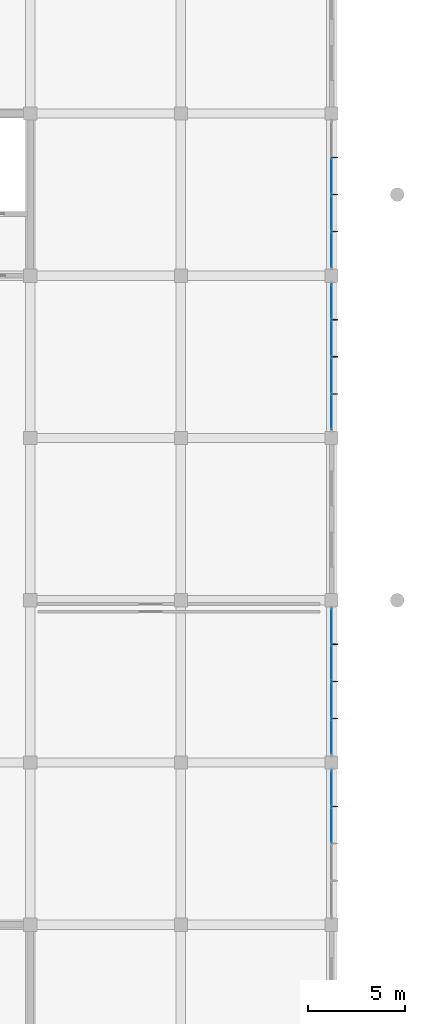
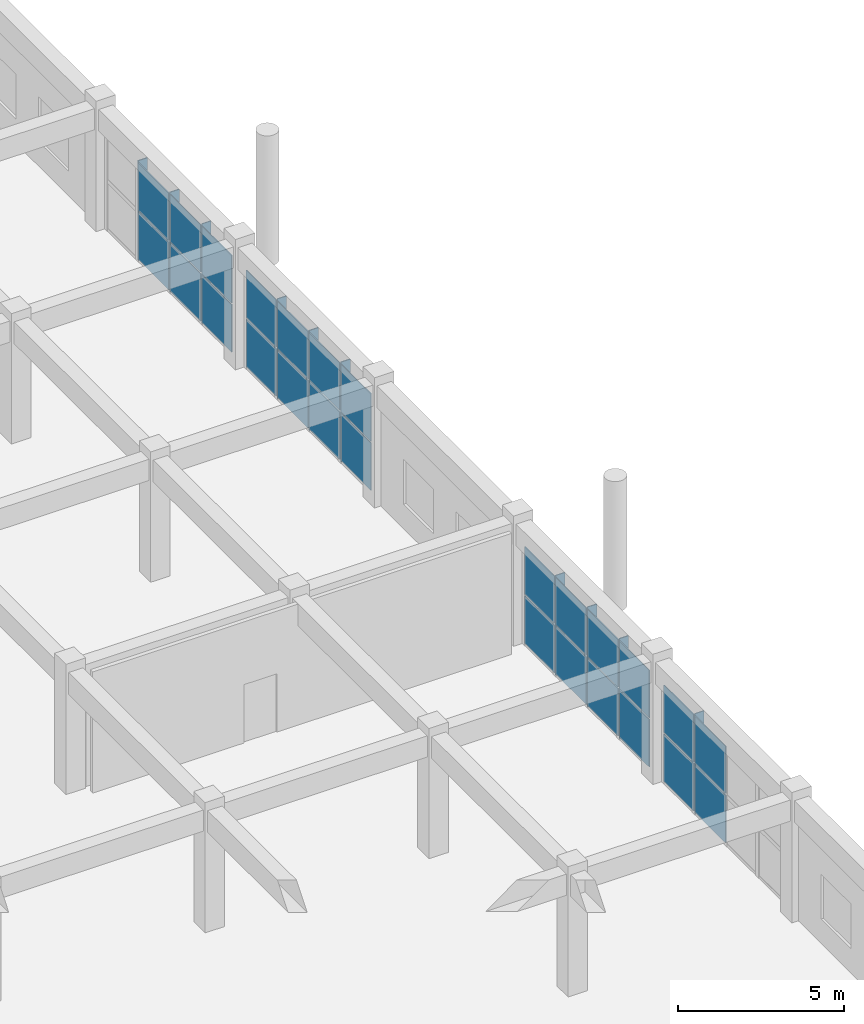
# One storey, part 153 of 175: 36 plates, 4 elements without a shape of their own.
"""IFC4 building model written with IfcOpenShell, lengths in metres."""

from ifc_helpers import new_model, si_unit, direction, frame, origin, origin_2d, place, context, subcontext, project, spatial, polyline, rectangle, outline, extrude, material, layer, layer_set, type_object, element, aggregate, save


model = new_model("IFC4")

# Units and contexts
model_context = context("Model", 3, precision=1e-05, world=origin(), true_north=direction((0.0, 1.0)))
body_context = subcontext(model_context, "Body", "Model", "MODEL_VIEW")
ifc_project = project(units=[si_unit("LENGTHUNIT", "METRE"), si_unit("AREAUNIT", "SQUARE_METRE"), si_unit("VOLUMEUNIT", "CUBIC_METRE"), si_unit("PLANEANGLEUNIT", "RADIAN"), si_unit("MASSUNIT", "GRAM", prefix="KILO")], contexts=[model_context])

# Site, building, storey
site_placement = place(None, origin())
site = spatial("IfcSite", under=ifc_project, at=site_placement, CompositionType="ELEMENT")
building_placement = place(site_placement, origin())
building = spatial("IfcBuilding", under=site, at=building_placement, Name="Zizhar Promenade General Hospital", CompositionType="ELEMENT")
storey_placement = place(building_placement, frame((0.0, 0.0, 4.800048828125)))
storey = spatial("IfcBuildingStorey", under=building, at=storey_placement, Name="L01", CompositionType="ELEMENT", Elevation=4.800048828125)

# Curtain wall, plates
ifc_material_1 = material(Name="Anodised aluminium 6063-T6 and low-E glass", Category="aluminium")
ifc_layer_1 = layer(ifc_material_1, 0.159912109375)
ifc_layer_set_1 = layer_set([ifc_layer_1], Name="Anodised aluminium 6063-T6 and low-E glass")
curtain_wall_type = type_object("IfcCurtainWallType", Name="CW-CLN-EXT", PredefinedType="NOTDEFINED", material=ifc_layer_set_1)
curtain_wall_1_placement = place(storey_placement, origin())
curtain_wall_1 = element("IfcCurtainWall", 1, at=curtain_wall_1_placement, inside=storey, type_object=curtain_wall_type, Name="Outpatient East Curtain Wall L01-7", PredefinedType="NOTDEFINED")
ifc_material_2 = material(Name="Low-E solar-control glass", Category="glass")
ifc_layer_2 = layer(ifc_material_2, 0.031982421875)
ifc_layer_set_2 = layer_set([ifc_layer_2], Name="Low-E solar-control glass")
plate_type_1 = type_object("IfcPlateType", Name="CWP-GLZ-32", PredefinedType="CURTAIN_PANEL", material=ifc_layer_set_2)
plate_1_placement = place(storey_placement, frame((195.0, 65.860107421875, 0.06005859375), z_axis=(0.0, 0.0, 1.0), x_axis=(0.0, -1.0, 0.0)))
plate_1 = element("IfcPlate", 2, at=plate_1_placement, type_object=plate_type_1, Name="CW-09 panel 1.1", PredefinedType="CURTAIN_PANEL", context=body_context, shape_type="SweptSolid", body=[
    extrude(rectangle(XDim=1.800048828125, YDim=0.031982421875, at=origin_2d()), origin(), (0.0, 0.0, 1.0), 1.75),
])
plate_2_placement = place(storey_placement, frame((195.0, 65.860107421875, 1.869873046875), z_axis=(0.0, 0.0, 1.0), x_axis=(0.0, -1.0, 0.0)))
plate_2 = element("IfcPlate", 3, at=plate_2_placement, type_object=plate_type_1, Name="CW-09 panel 1.2", PredefinedType="CURTAIN_PANEL", context=body_context, shape_type="SweptSolid", body=[
    extrude(rectangle(XDim=1.800048828125, YDim=0.031982421875, at=origin_2d()), origin(), (0.0, 0.0, 1.0), 1.75),
])
plate_3_placement = place(storey_placement, frame((195.0, 63.9599609375, 0.06005859375), z_axis=(0.0, 0.0, 1.0), x_axis=(0.0, -1.0, 0.0)))
plate_3 = element("IfcPlate", 4, at=plate_3_placement, type_object=plate_type_1, Name="CW-09 panel 2.1", PredefinedType="CURTAIN_PANEL", context=body_context, shape_type="SweptSolid", body=[
    extrude(rectangle(XDim=1.840087890625, YDim=0.031982421875, at=origin_2d()), origin(), (0.0, 0.0, 1.0), 1.75),
])
plate_4_placement = place(storey_placement, frame((195.0, 63.9599609375, 1.869873046875), z_axis=(0.0, 0.0, 1.0), x_axis=(0.0, -1.0, 0.0)))
plate_4 = element("IfcPlate", 5, at=plate_4_placement, type_object=plate_type_1, Name="CW-09 panel 2.2", PredefinedType="CURTAIN_PANEL", context=body_context, shape_type="SweptSolid", body=[
    extrude(rectangle(XDim=1.840087890625, YDim=0.031982421875, at=origin_2d()), origin(), (0.0, 0.0, 1.0), 1.75),
])
aggregate(curtain_wall_1, [plate_1, plate_2, plate_3, plate_4])

curtain_wall_2_placement = place(storey_placement, origin())
curtain_wall_2 = element("IfcCurtainWall", 6, at=curtain_wall_2_placement, inside=storey, type_object=curtain_wall_type, Name="Outpatient East Curtain Wall L01-8", PredefinedType="NOTDEFINED")
plate_5_placement = place(storey_placement, frame((195.0, 74.260009765625, 0.06005859375), z_axis=(0.0, 0.0, 1.0), x_axis=(0.0, -1.0, 0.0)))
plate_5 = element("IfcPlate", 7, at=plate_5_placement, type_object=plate_type_1, Name="CW-09 panel 1.1", PredefinedType="CURTAIN_PANEL", context=body_context, shape_type="SweptSolid", body=[
    extrude(rectangle(XDim=1.800048828125, YDim=0.031982421875, at=origin_2d()), origin(), (0.0, 0.0, 1.0), 1.75),
])
plate_6_placement = place(storey_placement, frame((195.0, 74.260009765625, 1.869873046875), z_axis=(0.0, 0.0, 1.0), x_axis=(0.0, -1.0, 0.0)))
plate_6 = element("IfcPlate", 8, at=plate_6_placement, type_object=plate_type_1, Name="CW-09 panel 1.2", PredefinedType="CURTAIN_PANEL", context=body_context, shape_type="SweptSolid", body=[
    extrude(rectangle(XDim=1.800048828125, YDim=0.031982421875, at=origin_2d()), origin(), (0.0, 0.0, 1.0), 1.75),
])
plate_7_placement = place(storey_placement, frame((195.0, 72.360107421875, 0.06005859375), z_axis=(0.0, 0.0, 1.0), x_axis=(0.0, -1.0, 0.0)))
plate_7 = element("IfcPlate", 9, at=plate_7_placement, type_object=plate_type_1, Name="CW-09 panel 2.1", PredefinedType="CURTAIN_PANEL", context=body_context, shape_type="SweptSolid", body=[
    extrude(rectangle(XDim=1.840087890625, YDim=0.031982421875, at=origin_2d()), origin(), (0.0, 0.0, 1.0), 1.75),
])
plate_8_placement = place(storey_placement, frame((195.0, 72.360107421875, 1.869873046875), z_axis=(0.0, 0.0, 1.0), x_axis=(0.0, -1.0, 0.0)))
plate_8 = element("IfcPlate", 10, at=plate_8_placement, type_object=plate_type_1, Name="CW-09 panel 2.2", PredefinedType="CURTAIN_PANEL", context=body_context, shape_type="SweptSolid", body=[
    extrude(rectangle(XDim=1.840087890625, YDim=0.031982421875, at=origin_2d()), origin(), (0.0, 0.0, 1.0), 1.75),
])
plate_9_placement = place(storey_placement, frame((195.0, 70.43994140625, 0.06005859375), z_axis=(0.0, 0.0, 1.0), x_axis=(0.0, -1.0, 0.0)))
plate_9 = element("IfcPlate", 11, at=plate_9_placement, type_object=plate_type_1, Name="CW-09 panel 3.1", PredefinedType="CURTAIN_PANEL", context=body_context, shape_type="SweptSolid", body=[
    extrude(rectangle(XDim=1.840087890625, YDim=0.031982421875, at=origin_2d()), origin(), (0.0, 0.0, 1.0), 1.75),
])
plate_10_placement = place(storey_placement, frame((195.0, 70.43994140625, 1.869873046875), z_axis=(0.0, 0.0, 1.0), x_axis=(0.0, -1.0, 0.0)))
plate_10 = element("IfcPlate", 12, at=plate_10_placement, type_object=plate_type_1, Name="CW-09 panel 3.2", PredefinedType="CURTAIN_PANEL", context=body_context, shape_type="SweptSolid", body=[
    extrude(rectangle(XDim=1.840087890625, YDim=0.031982421875, at=origin_2d()), origin(), (0.0, 0.0, 1.0), 1.75),
])
plate_11_placement = place(storey_placement, frame((195.0, 68.5400390625, 0.06005859375), z_axis=(0.0, 0.0, 1.0), x_axis=(0.0, -1.0, 0.0)))
plate_11 = element("IfcPlate", 13, at=plate_11_placement, type_object=plate_type_1, Name="CW-09 panel 4.1", PredefinedType="CURTAIN_PANEL", context=body_context, shape_type="SweptSolid", body=[
    extrude(rectangle(XDim=1.800048828125, YDim=0.031982421875, at=origin_2d()), origin(), (0.0, 0.0, 1.0), 1.75),
])
plate_12_placement = place(storey_placement, frame((195.0, 68.5400390625, 1.869873046875), z_axis=(0.0, 0.0, 1.0), x_axis=(0.0, -1.0, 0.0)))
plate_12 = element("IfcPlate", 14, at=plate_12_placement, type_object=plate_type_1, Name="CW-09 panel 4.2", PredefinedType="CURTAIN_PANEL", context=body_context, shape_type="SweptSolid", body=[
    extrude(rectangle(XDim=1.800048828125, YDim=0.031982421875, at=origin_2d()), origin(), (0.0, 0.0, 1.0), 1.75),
])
aggregate(curtain_wall_2, [plate_5, plate_6, plate_7, plate_8, plate_9, plate_10, plate_11, plate_12])

curtain_wall_3_placement = place(storey_placement, origin())
curtain_wall_3 = element("IfcCurtainWall", 15, at=curtain_wall_3_placement, inside=storey, type_object=curtain_wall_type, Name="Outpatient East Curtain Wall L01-10", PredefinedType="NOTDEFINED")
plate_13_placement = place(storey_placement, frame((195.0, 91.06005859375, 0.06005859375), z_axis=(0.0, 0.0, 1.0), x_axis=(0.0, -1.0, 0.0)))
plate_13 = element("IfcPlate", 16, at=plate_13_placement, type_object=plate_type_1, Name="CW-09 panel 1.1", PredefinedType="CURTAIN_PANEL", context=body_context, shape_type="SweptSolid", body=[
    extrude(rectangle(XDim=1.800048828125, YDim=0.031982421875, at=origin_2d()), origin(), (0.0, 0.0, 1.0), 1.75),
])
plate_14_placement = place(storey_placement, frame((195.0, 91.06005859375, 1.869873046875), z_axis=(0.0, 0.0, 1.0), x_axis=(0.0, -1.0, 0.0)))
plate_14 = element("IfcPlate", 17, at=plate_14_placement, type_object=plate_type_1, Name="CW-09 panel 1.2", PredefinedType="CURTAIN_PANEL", context=body_context, shape_type="SweptSolid", body=[
    extrude(rectangle(XDim=1.800048828125, YDim=0.031982421875, at=origin_2d()), origin(), (0.0, 0.0, 1.0), 1.75),
])
plate_15_placement = place(storey_placement, frame((195.0, 89.159912109375, 0.06005859375), z_axis=(0.0, 0.0, 1.0), x_axis=(0.0, -1.0, 0.0)))
plate_15 = element("IfcPlate", 18, at=plate_15_placement, type_object=plate_type_1, Name="CW-09 panel 2.1", PredefinedType="CURTAIN_PANEL", context=body_context, shape_type="SweptSolid", body=[
    extrude(rectangle(XDim=1.840087890625, YDim=0.031982421875, at=origin_2d()), origin(), (0.0, 0.0, 1.0), 1.75),
])
plate_16_placement = place(storey_placement, frame((195.0, 89.159912109375, 1.869873046875), z_axis=(0.0, 0.0, 1.0), x_axis=(0.0, -1.0, 0.0)))
plate_16 = element("IfcPlate", 19, at=plate_16_placement, type_object=plate_type_1, Name="CW-09 panel 2.2", PredefinedType="CURTAIN_PANEL", context=body_context, shape_type="SweptSolid", body=[
    extrude(rectangle(XDim=1.840087890625, YDim=0.031982421875, at=origin_2d()), origin(), (0.0, 0.0, 1.0), 1.75),
])
plate_17_placement = place(storey_placement, frame((195.0, 87.239990234375, 0.06005859375), z_axis=(0.0, 0.0, 1.0), x_axis=(0.0, -1.0, 0.0)))
plate_17 = element("IfcPlate", 20, at=plate_17_placement, type_object=plate_type_1, Name="CW-09 panel 3.1", PredefinedType="CURTAIN_PANEL", context=body_context, shape_type="SweptSolid", body=[
    extrude(rectangle(XDim=1.840087890625, YDim=0.031982421875, at=origin_2d()), origin(), (0.0, 0.0, 1.0), 1.75),
])
plate_18_placement = place(storey_placement, frame((195.0, 87.239990234375, 1.869873046875), z_axis=(0.0, 0.0, 1.0), x_axis=(0.0, -1.0, 0.0)))
plate_18 = element("IfcPlate", 21, at=plate_18_placement, type_object=plate_type_1, Name="CW-09 panel 3.2", PredefinedType="CURTAIN_PANEL", context=body_context, shape_type="SweptSolid", body=[
    extrude(rectangle(XDim=1.840087890625, YDim=0.031982421875, at=origin_2d()), origin(), (0.0, 0.0, 1.0), 1.75),
])
plate_19_placement = place(storey_placement, frame((195.0, 85.340087890625, 0.06005859375), z_axis=(0.0, 0.0, 1.0), x_axis=(0.0, -1.0, 0.0)))
plate_19 = element("IfcPlate", 22, at=plate_19_placement, type_object=plate_type_1, Name="CW-09 panel 4.1", PredefinedType="CURTAIN_PANEL", context=body_context, shape_type="SweptSolid", body=[
    extrude(rectangle(XDim=1.800048828125, YDim=0.031982421875, at=origin_2d()), origin(), (0.0, 0.0, 1.0), 1.75),
])
plate_20_placement = place(storey_placement, frame((195.0, 85.340087890625, 1.869873046875), z_axis=(0.0, 0.0, 1.0), x_axis=(0.0, -1.0, 0.0)))
plate_20 = element("IfcPlate", 23, at=plate_20_placement, type_object=plate_type_1, Name="CW-09 panel 4.2", PredefinedType="CURTAIN_PANEL", context=body_context, shape_type="SweptSolid", body=[
    extrude(rectangle(XDim=1.800048828125, YDim=0.031982421875, at=origin_2d()), origin(), (0.0, 0.0, 1.0), 1.75),
])
aggregate(curtain_wall_3, [plate_13, plate_14, plate_15, plate_16, plate_17, plate_18, plate_19, plate_20])

curtain_wall_4_placement = place(storey_placement, origin())
curtain_wall_4 = element("IfcCurtainWall", 24, at=curtain_wall_4_placement, inside=storey, type_object=curtain_wall_type, Name="Outpatient East Curtain Wall L01-11", PredefinedType="NOTDEFINED")
plate_21_placement = place(storey_placement, frame((195.0, 97.56005859375, 0.06005859375), z_axis=(0.0, 0.0, 1.0), x_axis=(0.0, -1.0, 0.0)))
plate_21 = element("IfcPlate", 25, at=plate_21_placement, type_object=plate_type_1, Name="CW-09 panel 2.1", PredefinedType="CURTAIN_PANEL", context=body_context, shape_type="SweptSolid", body=[
    extrude(rectangle(XDim=1.840087890625, YDim=0.031982421875, at=origin_2d()), origin(), (0.0, 0.0, 1.0), 1.75),
])
plate_22_placement = place(storey_placement, frame((195.0, 97.56005859375, 1.869873046875), z_axis=(0.0, 0.0, 1.0), x_axis=(0.0, -1.0, 0.0)))
plate_22 = element("IfcPlate", 26, at=plate_22_placement, type_object=plate_type_1, Name="CW-09 panel 2.2", PredefinedType="CURTAIN_PANEL", context=body_context, shape_type="SweptSolid", body=[
    extrude(rectangle(XDim=1.840087890625, YDim=0.031982421875, at=origin_2d()), origin(), (0.0, 0.0, 1.0), 1.75),
])
plate_23_placement = place(storey_placement, frame((195.0, 95.639892578125, 0.06005859375), z_axis=(0.0, 0.0, 1.0), x_axis=(0.0, -1.0, 0.0)))
plate_23 = element("IfcPlate", 27, at=plate_23_placement, type_object=plate_type_1, Name="CW-09 panel 3.1", PredefinedType="CURTAIN_PANEL", context=body_context, shape_type="SweptSolid", body=[
    extrude(rectangle(XDim=1.840087890625, YDim=0.031982421875, at=origin_2d()), origin(), (0.0, 0.0, 1.0), 1.75),
])
plate_24_placement = place(storey_placement, frame((195.0, 95.639892578125, 1.869873046875), z_axis=(0.0, 0.0, 1.0), x_axis=(0.0, -1.0, 0.0)))
plate_24 = element("IfcPlate", 28, at=plate_24_placement, type_object=plate_type_1, Name="CW-09 panel 3.2", PredefinedType="CURTAIN_PANEL", context=body_context, shape_type="SweptSolid", body=[
    extrude(rectangle(XDim=1.840087890625, YDim=0.031982421875, at=origin_2d()), origin(), (0.0, 0.0, 1.0), 1.75),
])
plate_25_placement = place(storey_placement, frame((195.0, 93.739990234375, 0.06005859375), z_axis=(0.0, 0.0, 1.0), x_axis=(0.0, -1.0, 0.0)))
plate_25 = element("IfcPlate", 29, at=plate_25_placement, type_object=plate_type_1, Name="CW-09 panel 4.1", PredefinedType="CURTAIN_PANEL", context=body_context, shape_type="SweptSolid", body=[
    extrude(rectangle(XDim=1.800048828125, YDim=0.031982421875, at=origin_2d()), origin(), (0.0, 0.0, 1.0), 1.75),
])
plate_26_placement = place(storey_placement, frame((195.0, 93.739990234375, 1.869873046875), z_axis=(0.0, 0.0, 1.0), x_axis=(0.0, -1.0, 0.0)))
plate_26 = element("IfcPlate", 30, at=plate_26_placement, type_object=plate_type_1, Name="CW-09 panel 4.2", PredefinedType="CURTAIN_PANEL", context=body_context, shape_type="SweptSolid", body=[
    extrude(rectangle(XDim=1.800048828125, YDim=0.031982421875, at=origin_2d()), origin(), (0.0, 0.0, 1.0), 1.75),
])
aggregate(curtain_wall_4, [plate_21, plate_22, plate_23, plate_24, plate_25, plate_26])

# Plates
ifc_material_3 = material(Name="Anodised aluminium 6063-T6", Category="aluminium")
ifc_layer_3 = layer(ifc_material_3, 0.033935546875)
ifc_layer_set_3 = layer_set([ifc_layer_3], Name="Anodised aluminium 6063-T6")
plate_type_2 = type_object("IfcPlateType", Name="FIN-ALU-320", PredefinedType="USERDEFINED", material=ifc_layer_set_3)
plate_27_placement = place(storey_placement, origin())
element("IfcPlate", 31, at=plate_27_placement, inside=storey, type_object=plate_type_2, Name="Outpatient East Curtain Wall L01-7 Solar Fin 1", ObjectType="SOLAR_SHADE", PredefinedType="USERDEFINED", context=body_context, shape_type="SweptSolid", body=[
    extrude(outline(polyline([(195.0, 64.93701171875), (195.0, 64.903076171875), (195.320068359375, 64.903076171875), (195.320068359375, 64.93701171875), (195.0, 64.93701171875)])), origin(), (0.0, 0.0, 1.0), 3.679931640625),
])
plate_28_placement = place(storey_placement, origin())
element("IfcPlate", 32, at=plate_28_placement, inside=storey, type_object=plate_type_2, Name="Outpatient East Curtain Wall L01-8 Solar Fin 1", ObjectType="SOLAR_SHADE", PredefinedType="USERDEFINED", context=body_context, shape_type="SweptSolid", body=[
    extrude(outline(polyline([(195.0, 73.3369140625), (195.0, 73.302978515625), (195.320068359375, 73.302978515625), (195.320068359375, 73.3369140625), (195.0, 73.3369140625)])), origin(), (0.0, 0.0, 1.0), 3.679931640625),
])
plate_29_placement = place(storey_placement, origin())
element("IfcPlate", 33, at=plate_29_placement, inside=storey, type_object=plate_type_2, Name="Outpatient East Curtain Wall L01-8 Solar Fin 2", ObjectType="SOLAR_SHADE", PredefinedType="USERDEFINED", context=body_context, shape_type="SweptSolid", body=[
    extrude(outline(polyline([(195.0, 71.4169921875), (195.0, 71.383056640625), (195.320068359375, 71.383056640625), (195.320068359375, 71.4169921875), (195.0, 71.4169921875)])), origin(), (0.0, 0.0, 1.0), 3.679931640625),
])
plate_30_placement = place(storey_placement, origin())
element("IfcPlate", 34, at=plate_30_placement, inside=storey, type_object=plate_type_2, Name="Outpatient East Curtain Wall L01-8 Solar Fin 3", ObjectType="SOLAR_SHADE", PredefinedType="USERDEFINED", context=body_context, shape_type="SweptSolid", body=[
    extrude(outline(polyline([(195.0, 69.4970703125), (195.0, 69.462890625), (195.320068359375, 69.462890625), (195.320068359375, 69.4970703125), (195.0, 69.4970703125)])), origin(), (0.0, 0.0, 1.0), 3.679931640625),
])
plate_31_placement = place(storey_placement, origin())
element("IfcPlate", 35, at=plate_31_placement, inside=storey, type_object=plate_type_2, Name="Outpatient East Curtain Wall L01-10 Solar Fin 1", ObjectType="SOLAR_SHADE", PredefinedType="USERDEFINED", context=body_context, shape_type="SweptSolid", body=[
    extrude(outline(polyline([(195.0, 90.136962890625), (195.0, 90.10302734375), (195.320068359375, 90.10302734375), (195.320068359375, 90.136962890625), (195.0, 90.136962890625)])), origin(), (0.0, 0.0, 1.0), 3.679931640625),
])
plate_32_placement = place(storey_placement, origin())
element("IfcPlate", 36, at=plate_32_placement, inside=storey, type_object=plate_type_2, Name="Outpatient East Curtain Wall L01-10 Solar Fin 2", ObjectType="SOLAR_SHADE", PredefinedType="USERDEFINED", context=body_context, shape_type="SweptSolid", body=[
    extrude(outline(polyline([(195.0, 88.217041015625), (195.0, 88.18310546875), (195.320068359375, 88.18310546875), (195.320068359375, 88.217041015625), (195.0, 88.217041015625)])), origin(), (0.0, 0.0, 1.0), 3.679931640625),
])
plate_33_placement = place(storey_placement, origin())
element("IfcPlate", 37, at=plate_33_placement, inside=storey, type_object=plate_type_2, Name="Outpatient East Curtain Wall L01-10 Solar Fin 3", ObjectType="SOLAR_SHADE", PredefinedType="USERDEFINED", context=body_context, shape_type="SweptSolid", body=[
    extrude(outline(polyline([(195.0, 86.297119140625), (195.0, 86.262939453125), (195.320068359375, 86.262939453125), (195.320068359375, 86.297119140625), (195.0, 86.297119140625)])), origin(), (0.0, 0.0, 1.0), 3.679931640625),
])
plate_34_placement = place(storey_placement, origin())
element("IfcPlate", 38, at=plate_34_placement, inside=storey, type_object=plate_type_2, Name="Outpatient East Curtain Wall L01-11 Solar Fin 1", ObjectType="SOLAR_SHADE", PredefinedType="USERDEFINED", context=body_context, shape_type="SweptSolid", body=[
    extrude(outline(polyline([(195.0, 98.537109375), (195.0, 98.5029296875), (195.320068359375, 98.5029296875), (195.320068359375, 98.537109375), (195.0, 98.537109375)])), origin(), (0.0, 0.0, 1.0), 3.679931640625),
])
plate_35_placement = place(storey_placement, origin())
element("IfcPlate", 39, at=plate_35_placement, inside=storey, type_object=plate_type_2, Name="Outpatient East Curtain Wall L01-11 Solar Fin 2", ObjectType="SOLAR_SHADE", PredefinedType="USERDEFINED", context=body_context, shape_type="SweptSolid", body=[
    extrude(outline(polyline([(195.0, 96.616943359375), (195.0, 96.5830078125), (195.320068359375, 96.5830078125), (195.320068359375, 96.616943359375), (195.0, 96.616943359375)])), origin(), (0.0, 0.0, 1.0), 3.679931640625),
])
plate_36_placement = place(storey_placement, origin())
element("IfcPlate", 40, at=plate_36_placement, inside=storey, type_object=plate_type_2, Name="Outpatient East Curtain Wall L01-11 Solar Fin 3", ObjectType="SOLAR_SHADE", PredefinedType="USERDEFINED", context=body_context, shape_type="SweptSolid", body=[
    extrude(outline(polyline([(195.0, 94.697021484375), (195.0, 94.6630859375), (195.320068359375, 94.6630859375), (195.320068359375, 94.697021484375), (195.0, 94.697021484375)])), origin(), (0.0, 0.0, 1.0), 3.679931640625),
])

save(model, "model.ifc")
